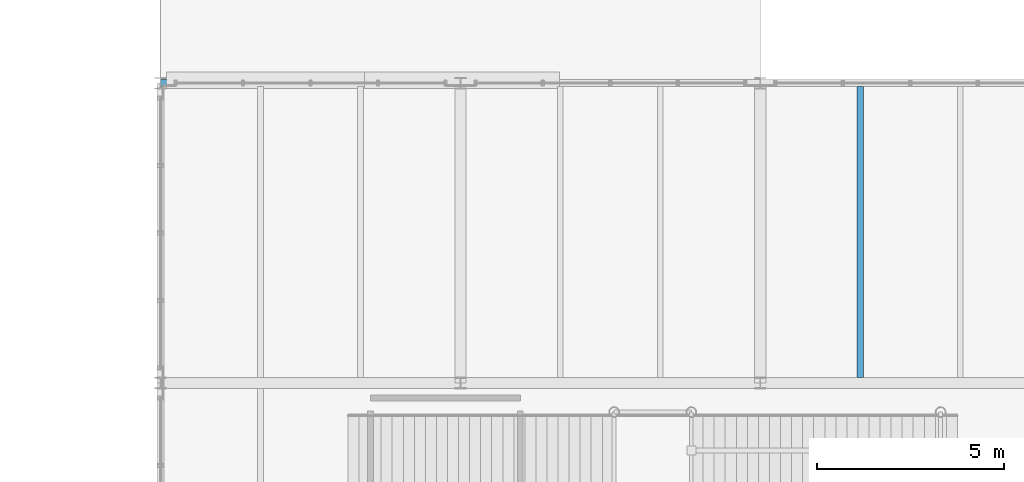
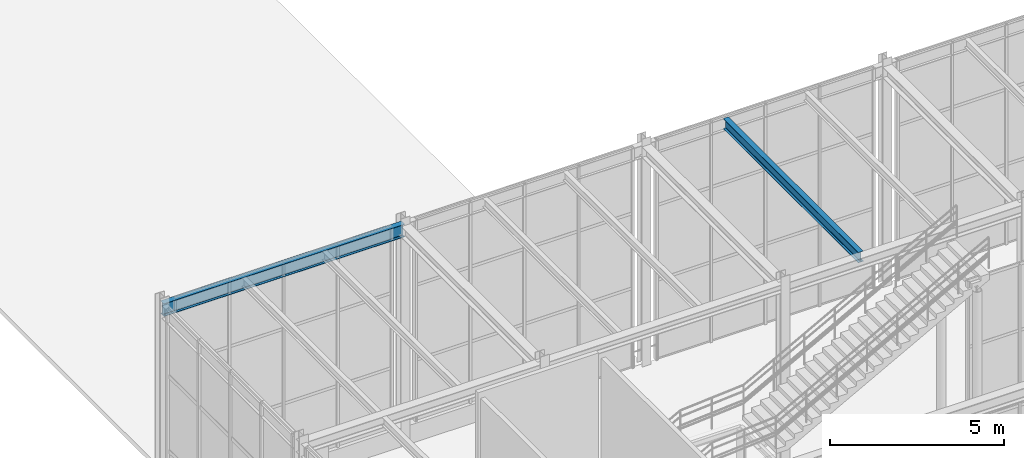
# One storey, part 49 of 138: 2 beams.
"""IFC4 building model written with IfcOpenShell, lengths in metres."""

from ifc_helpers import new_model, si_unit, direction, frame, origin, origin_2d, place, context, subcontext, project, spatial, i_section, extrude, material, material_profile, profile_set, type_object, element, save


model = new_model("IFC4")

# Units and contexts
model_context = context("Model", 3, precision=1e-05, world=origin(), true_north=direction((0.0, 1.0)))
body_context = subcontext(model_context, "Body", "Model", "MODEL_VIEW")
ifc_project = project(units=[si_unit("LENGTHUNIT", "METRE"), si_unit("AREAUNIT", "SQUARE_METRE"), si_unit("VOLUMEUNIT", "CUBIC_METRE"), si_unit("PLANEANGLEUNIT", "RADIAN"), si_unit("MASSUNIT", "GRAM", prefix="KILO")], contexts=[model_context])

# Site, building, storey
site_placement = place(None, origin())
site = spatial("IfcSite", under=ifc_project, at=site_placement, CompositionType="ELEMENT")
building_placement = place(site_placement, origin())
building = spatial("IfcBuilding", under=site, at=building_placement, Name="Sundkrona Museum", CompositionType="ELEMENT")
storey_placement = place(building_placement, frame((0.0, 0.0, 9.60009765625)))
storey = spatial("IfcBuildingStorey", under=building, at=storey_placement, Name="L02", CompositionType="ELEMENT", Elevation=9.60009765625)

# Beams
ifc_material = material(Name="Steel S355J2", Category="steel")
ifc_material_profile_1 = material_profile(ifc_material, i_section(OverallWidth=0.169921875, OverallDepth=0.360107421875, WebThickness=0.008056640625, FlangeThickness=0.0126953125, FilletRadius=0.01806640625, at=origin_2d()), Name="IPE 360")
ifc_profile_set_1 = profile_set([ifc_material_profile_1], Name="Steel S355J2")
beam_type_1 = type_object("IfcBeamType", Name="J-IPE360", PredefinedType="JOIST", material=ifc_profile_set_1)
beam_1_placement = place(storey_placement, frame((98.666748046875, 32.14404296875, 7.559814453125), z_axis=(0.0, 1.0, 0.0), x_axis=(-1.0, 0.0, 0.0)))
element("IfcBeam", 1, at=beam_1_placement, inside=storey, type_object=beam_type_1, Name="L02 Composite Joist 0845", PredefinedType="JOIST", context=body_context, shape_type="SweptSolid", body=[
    extrude(i_section(OverallWidth=0.169921875, OverallDepth=0.360107421875, WebThickness=0.008056640625, FlangeThickness=0.0126953125, FilletRadius=0.01806640625, at=origin_2d()), origin(), (0.0, 0.0, 1.0), 7.766845703125),
])
ifc_material_profile_2 = material_profile(ifc_material, i_section(OverallWidth=0.18994140625, OverallDepth=0.449951171875, WebThickness=0.009521484375, FlangeThickness=0.0146484375, FilletRadius=0.02099609375, at=origin_2d()), Name="IPE 450")
ifc_profile_set_2 = profile_set([ifc_material_profile_2], Name="Steel S355J2")
beam_type_2 = type_object("IfcBeamType", Name="SP-IPE450", PredefinedType="SPANDREL", material=ifc_profile_set_2)
beam_2_placement = place(storey_placement, frame((80.0, 40.0, 7.514892578125), z_axis=(1.0, 0.0, 0.0), x_axis=(0.0, 1.0, 0.0)))
element("IfcBeam", 2, at=beam_2_placement, inside=storey, type_object=beam_type_2, Name="L02 Girder X-1164", PredefinedType="SPANDREL", context=body_context, shape_type="SweptSolid", body=[
    extrude(i_section(OverallWidth=0.18994140625, OverallDepth=0.449951171875, WebThickness=0.009521484375, FlangeThickness=0.0146484375, FilletRadius=0.02099609375, at=origin_2d()), origin(), (0.0, 0.0, 1.0), 8.0),
])

save(model, "model.ifc")
